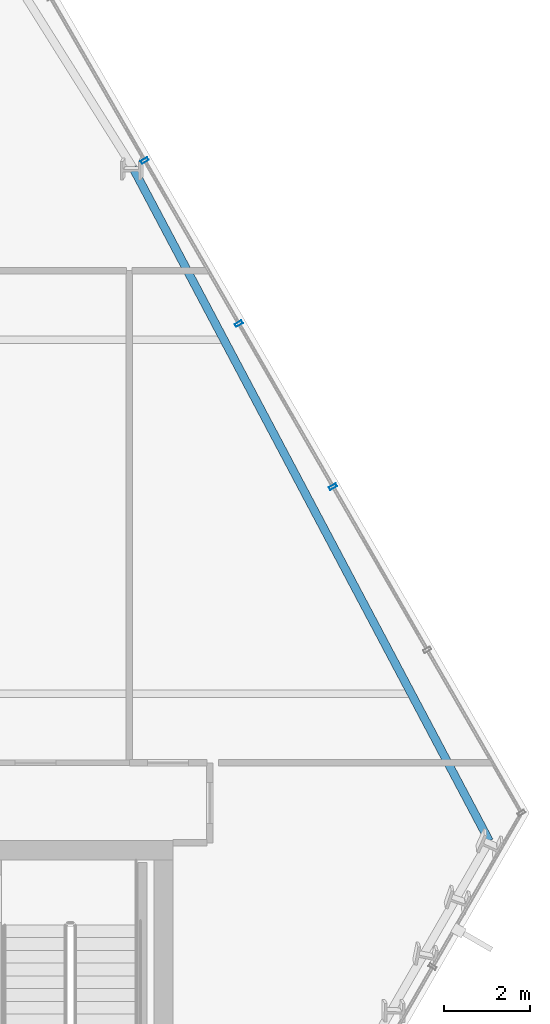
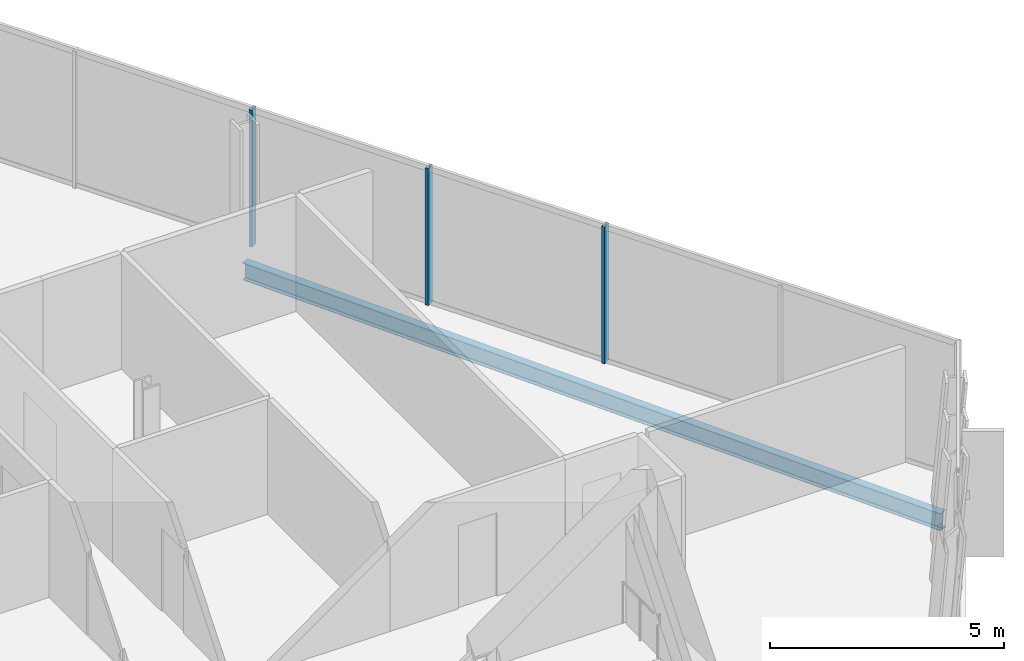
# One storey, part 17 of 32: 3 members, 1 beam, 1 element without a shape of its own.
"""IFC4 building model written with IfcOpenShell, lengths in metres."""

from ifc_helpers import new_model, si_unit, direction, frame, origin, origin_2d, place, context, subcontext, project, spatial, hollow_rectangle, i_section, extrude, material, layer, layer_set, material_profile, profile_set, type_object, element, aggregate, save


model = new_model("IFC4")

# Units and contexts
model_context = context("Model", 3, precision=1e-05, world=origin(), true_north=direction((0.0, 1.0)))
body_context = subcontext(model_context, "Body", "Model", "MODEL_VIEW")
ifc_project = project(units=[si_unit("LENGTHUNIT", "METRE"), si_unit("AREAUNIT", "SQUARE_METRE"), si_unit("VOLUMEUNIT", "CUBIC_METRE"), si_unit("PLANEANGLEUNIT", "RADIAN"), si_unit("MASSUNIT", "GRAM", prefix="KILO")], contexts=[model_context])

# Site, building, storey
site_placement = place(None, origin())
site = spatial("IfcSite", under=ifc_project, at=site_placement, CompositionType="ELEMENT")
building_placement = place(site_placement, origin())
building = spatial("IfcBuilding", under=site, at=building_placement, Name="Ndaravel Arena Tower", CompositionType="ELEMENT")
storey_placement = place(building_placement, frame((0.0, 0.0, 134.60009765625)))
storey = spatial("IfcBuildingStorey", under=building, at=storey_placement, Name="L31", CompositionType="ELEMENT", Elevation=134.60009765625)

# Beam
ifc_material_1 = material(Name="Steel S355", Category="steel")
ifc_material_profile_1 = material_profile(ifc_material_1, i_section(OverallWidth=0.18994140625, OverallDepth=0.449951171875, WebThickness=0.009521484375, FlangeThickness=0.0146484375, FilletRadius=0.02099609375, at=origin_2d()), Name="IPE 450")
ifc_profile_set_1 = profile_set([ifc_material_profile_1], Name="Steel S355")
beam_type = type_object("IfcBeamType", Name="BM-SPAN-IPE450", PredefinedType="SPANDREL", material=ifc_profile_set_1)
beam_placement = place(storey_placement, frame((64.867919921875, 15.193603515625, -0.445068359375), z_axis=(-0.467885177622, 0.883789262529, 0.0), x_axis=(-0.883789262529, -0.467885177622, 0.0)))
element("IfcBeam", 1, at=beam_placement, inside=storey, type_object=beam_type, Name="L31 Perimeter Spandrel Beam SP-09", PredefinedType="SPANDREL", context=body_context, shape_type="SweptSolid", body=[
    extrude(i_section(OverallWidth=0.18994140625, OverallDepth=0.449951171875, WebThickness=0.009521484375, FlangeThickness=0.0146484375, FilletRadius=0.02099609375, at=origin_2d()), origin(), (0.0, 0.0, 1.0), 17.6455078125),
])

# Curtain wall, members
ifc_material_2 = material(Name="Aluminium", Category="aluminium")
ifc_layer = layer(ifc_material_2, 0.179931640625)
ifc_layer_set = layer_set([ifc_layer], Name="Aluminium")
curtain_wall_type = type_object("IfcCurtainWallType", Name="CW-SYS-03", PredefinedType="NOTDEFINED", material=ifc_layer_set)
curtain_wall_placement = place(storey_placement, origin())
curtain_wall = element("IfcCurtainWall", 2, at=curtain_wall_placement, inside=storey, type_object=curtain_wall_type, Name="L31 Faceted Crystal Curtain Wall CW-L31-E03", PredefinedType="NOTDEFINED")
ifc_material_3 = material(Name="Aluminium", Category="aluminium")
ifc_material_profile_2 = material_profile(ifc_material_3, hollow_rectangle(XDim=0.074951171875, YDim=0.179931640625, WallThickness=0.00390625, at=origin_2d()), Name="CW MULLION 75x180x4")
ifc_profile_set_2 = profile_set([ifc_material_profile_2], Name="Aluminium")
member_type = type_object("IfcMemberType", Name="MEM-CW-MUL180", PredefinedType="MULLION", material=ifc_profile_set_2)
member_1_placement = place(storey_placement, frame((61.25, 23.39501953125, 0.0), z_axis=(0.0, 0.0, 1.0), x_axis=(-0.5, 0.866025403784, 0.0)))
member_1 = element("IfcMember", 3, at=member_1_placement, type_object=member_type, Name="CW-L31-E03 Mullion 02", PredefinedType="MULLION", context=body_context, shape_type="SweptSolid", body=[
    extrude(hollow_rectangle(XDim=0.074951171875, YDim=0.179931640625, WallThickness=0.00390625, at=origin_2d()), origin(), (0.0, 0.0, 1.0), 3.579833984375),
])
member_2_placement = place(storey_placement, frame((59.069580078125, 27.171630859375, 0.0), z_axis=(0.0, 0.0, 1.0), x_axis=(-0.5, 0.866025403784, 0.0)))
member_2 = element("IfcMember", 4, at=member_2_placement, type_object=member_type, Name="CW-L31-E03 Mullion 03", PredefinedType="MULLION", context=body_context, shape_type="SweptSolid", body=[
    extrude(hollow_rectangle(XDim=0.074951171875, YDim=0.179931640625, WallThickness=0.00390625, at=origin_2d()), origin(), (0.0, 0.0, 1.0), 3.579833984375),
])
member_3_placement = place(storey_placement, frame((56.888916015625, 30.948486328125, 0.0), z_axis=(0.0, 0.0, 1.0), x_axis=(-0.5, 0.866025403784, 0.0)))
member_3 = element("IfcMember", 5, at=member_3_placement, type_object=member_type, Name="CW-L31-E03 Mullion 04", PredefinedType="MULLION", context=body_context, shape_type="SweptSolid", body=[
    extrude(hollow_rectangle(XDim=0.074951171875, YDim=0.179931640625, WallThickness=0.00390625, at=origin_2d()), origin(), (0.0, 0.0, 1.0), 3.579833984375),
])
aggregate(curtain_wall, [member_1, member_2, member_3])

save(model, "model.ifc")
